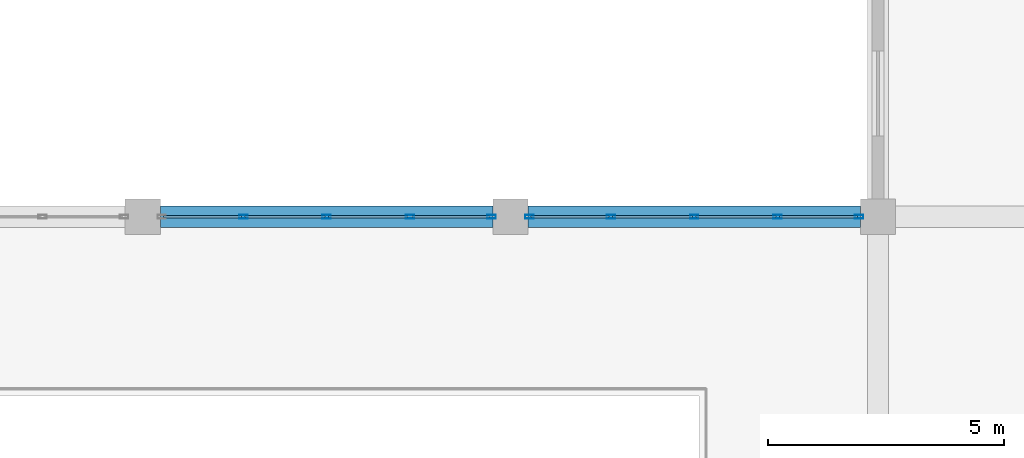
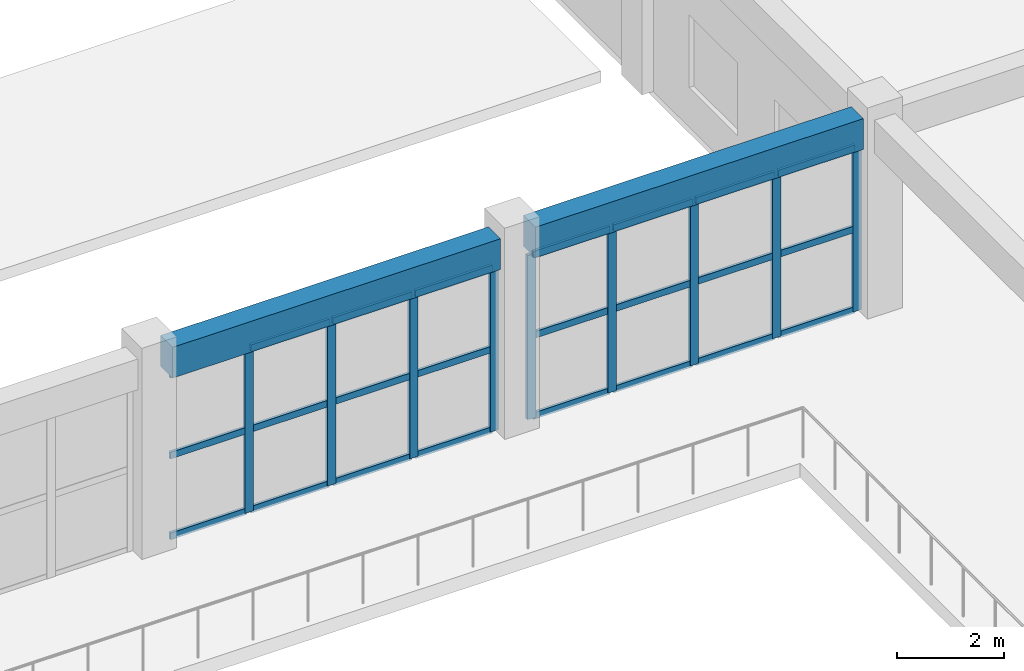
# One storey, part 40 of 167: 33 members, 2 beams, 2 elements without a shape of their own.
"""IFC4 building model written with IfcOpenShell, lengths in metres."""

from ifc_helpers import new_model, si_unit, direction, frame, origin, origin_2d, place, context, subcontext, project, spatial, rectangle, hollow_rectangle, extrude, material, layer, layer_set, material_profile, profile_set, type_object, element, aggregate, save


model = new_model("IFC4")

# Units and contexts
model_context = context("Model", 3, precision=1e-05, world=origin(), true_north=direction((0.0, 1.0)))
body_context = subcontext(model_context, "Body", "Model", "MODEL_VIEW")
ifc_project = project(units=[si_unit("LENGTHUNIT", "METRE"), si_unit("AREAUNIT", "SQUARE_METRE"), si_unit("VOLUMEUNIT", "CUBIC_METRE"), si_unit("PLANEANGLEUNIT", "RADIAN"), si_unit("MASSUNIT", "GRAM", prefix="KILO")], contexts=[model_context])

# Site, building, storey
site_placement = place(None, origin())
site = spatial("IfcSite", under=ifc_project, at=site_placement, CompositionType="ELEMENT")
building_placement = place(site_placement, origin())
building = spatial("IfcBuilding", under=site, at=building_placement, Name="Zizhar Promenade General Hospital", CompositionType="ELEMENT")
storey_placement = place(building_placement, frame((0.0, 0.0, 9.60009765625)))
storey = spatial("IfcBuildingStorey", under=building, at=storey_placement, Name="L02", CompositionType="ELEMENT", Elevation=9.60009765625)

# Beams
ifc_material_1 = material(Name="Concrete C35/45", Category="concrete")
ifc_material_profile_1 = material_profile(ifc_material_1, rectangle(XDim=0.449951171875, YDim=0.699951171875, at=origin_2d()))
ifc_profile_set_1 = profile_set([ifc_material_profile_1], Name="Concrete C35/45")
beam_type = type_object("IfcBeamType", Name="BM-RC-450x700", PredefinedType="BEAM", material=ifc_profile_set_1)
for number, where, z_axis, x_axis, name in (
    (1, (109.574951171875, 50.39990234375, 4.119873046875), (1.0, 0.0, 0.0), (0.0, 1.0, 0.0), "Grid Beam X L02 (14-6)"),
    (2, (117.375, 50.39990234375, 4.119873046875), (1.0, 0.0, 0.0), (0.0, 1.0, 0.0), "Grid Beam X L02 (15-6)"),
):
    element("IfcBeam", number, at=place(storey_placement, frame(where, z_axis=z_axis, x_axis=x_axis)), inside=storey, type_object=beam_type, Name=name, PredefinedType="BEAM", context=body_context, shape_type="SweptSolid", body=[
        extrude(rectangle(XDim=0.449951171875, YDim=0.699951171875, at=origin_2d()), origin(), (0.0, 0.0, 1.0), 7.050048828125),
    ])

# Curtain wall, members
ifc_material_2 = material(Name="Anodised aluminium 6063-T6 and low-E glass", Category="aluminium")
ifc_layer = layer(ifc_material_2, 0.159912109375)
ifc_layer_set = layer_set([ifc_layer], Name="Anodised aluminium 6063-T6 and low-E glass")
curtain_wall_type = type_object("IfcCurtainWallType", Name="CW-HALL-N", PredefinedType="NOTDEFINED", material=ifc_layer_set)
curtain_wall_1_placement = place(storey_placement, origin())
curtain_wall_1 = element("IfcCurtainWall", 3, at=curtain_wall_1_placement, inside=storey, type_object=curtain_wall_type, Name="Main Hall Courtyard Curtain Wall L02-14", PredefinedType="NOTDEFINED")
ifc_material_3 = material(Name="Anodised aluminium 6063-T6", Category="aluminium")
ifc_material_profile_2 = material_profile(ifc_material_3, hollow_rectangle(XDim=0.080078125, YDim=0.179931640625, WallThickness=0.0048828125, at=origin_2d()))
ifc_profile_set_2 = profile_set([ifc_material_profile_2], Name="Anodised aluminium 6063-T6")
member_type_1 = type_object("IfcMemberType", Name="CWM-ALU-180x80", PredefinedType="MULLION", material=ifc_profile_set_2)
member_1_placement = place(storey_placement, frame((111.330078125, 50.39990234375, 0.0), z_axis=(0.0, 0.0, 1.0), x_axis=(0.0, 1.0, 0.0)))
member_1 = element("IfcMember", 4, at=member_1_placement, type_object=member_type_1, Name="CW-02 mullion 2", PredefinedType="MULLION", context=body_context, shape_type="SweptSolid", body=[
    extrude(hollow_rectangle(XDim=0.080078125, YDim=0.179931640625, WallThickness=0.0048828125, at=origin_2d()), origin(), (0.0, 0.0, 1.0), 3.72998046875),
])
member_2_placement = place(storey_placement, frame((113.10009765625, 50.39990234375, 0.0), z_axis=(0.0, 0.0, 1.0), x_axis=(0.0, 1.0, 0.0)))
member_2 = element("IfcMember", 5, at=member_2_placement, type_object=member_type_1, Name="CW-02 mullion 3", PredefinedType="MULLION", context=body_context, shape_type="SweptSolid", body=[
    extrude(hollow_rectangle(XDim=0.080078125, YDim=0.179931640625, WallThickness=0.0048828125, at=origin_2d()), origin(), (0.0, 0.0, 1.0), 3.72998046875),
])
member_3_placement = place(storey_placement, frame((114.8701171875, 50.39990234375, 0.0), z_axis=(0.0, 0.0, 1.0), x_axis=(0.0, 1.0, 0.0)))
member_3 = element("IfcMember", 6, at=member_3_placement, type_object=member_type_1, Name="CW-02 mullion 4", PredefinedType="MULLION", context=body_context, shape_type="SweptSolid", body=[
    extrude(hollow_rectangle(XDim=0.080078125, YDim=0.179931640625, WallThickness=0.0048828125, at=origin_2d()), origin(), (0.0, 0.0, 1.0), 3.72998046875),
])
member_4_placement = place(storey_placement, frame((116.60009765625, 50.39990234375, 0.0), z_axis=(0.0, 0.0, 1.0), x_axis=(0.0, 1.0, 0.0)))
member_4 = element("IfcMember", 7, at=member_4_placement, type_object=member_type_1, Name="CW-02 mullion 5", PredefinedType="MULLION", context=body_context, shape_type="SweptSolid", body=[
    extrude(hollow_rectangle(XDim=0.080078125, YDim=0.179931640625, WallThickness=0.0048828125, at=origin_2d()), origin(), (0.0, 0.0, 1.0), 3.72998046875),
])

curtain_wall_2_placement = place(storey_placement, origin())
curtain_wall_2 = element("IfcCurtainWall", 8, at=curtain_wall_2_placement, inside=storey, type_object=curtain_wall_type, Name="Main Hall Courtyard Curtain Wall L02-15", PredefinedType="NOTDEFINED")
member_5_placement = place(storey_placement, frame((117.39990234375, 50.39990234375, 0.0), z_axis=(0.0, 0.0, 1.0), x_axis=(0.0, 1.0, 0.0)))
member_5 = element("IfcMember", 9, at=member_5_placement, type_object=member_type_1, Name="CW-02 mullion 1", PredefinedType="MULLION", context=body_context, shape_type="SweptSolid", body=[
    extrude(hollow_rectangle(XDim=0.080078125, YDim=0.179931640625, WallThickness=0.0048828125, at=origin_2d()), origin(), (0.0, 0.0, 1.0), 3.72998046875),
])
member_6_placement = place(storey_placement, frame((119.1298828125, 50.39990234375, 0.0), z_axis=(0.0, 0.0, 1.0), x_axis=(0.0, 1.0, 0.0)))
member_6 = element("IfcMember", 10, at=member_6_placement, type_object=member_type_1, Name="CW-02 mullion 2", PredefinedType="MULLION", context=body_context, shape_type="SweptSolid", body=[
    extrude(hollow_rectangle(XDim=0.080078125, YDim=0.179931640625, WallThickness=0.0048828125, at=origin_2d()), origin(), (0.0, 0.0, 1.0), 3.72998046875),
])
member_7_placement = place(storey_placement, frame((120.89990234375, 50.39990234375, 0.0), z_axis=(0.0, 0.0, 1.0), x_axis=(0.0, 1.0, 0.0)))
member_7 = element("IfcMember", 11, at=member_7_placement, type_object=member_type_1, Name="CW-02 mullion 3", PredefinedType="MULLION", context=body_context, shape_type="SweptSolid", body=[
    extrude(hollow_rectangle(XDim=0.080078125, YDim=0.179931640625, WallThickness=0.0048828125, at=origin_2d()), origin(), (0.0, 0.0, 1.0), 3.72998046875),
])
member_8_placement = place(storey_placement, frame((122.669921875, 50.39990234375, 0.0), z_axis=(0.0, 0.0, 1.0), x_axis=(0.0, 1.0, 0.0)))
member_8 = element("IfcMember", 12, at=member_8_placement, type_object=member_type_1, Name="CW-02 mullion 4", PredefinedType="MULLION", context=body_context, shape_type="SweptSolid", body=[
    extrude(hollow_rectangle(XDim=0.080078125, YDim=0.179931640625, WallThickness=0.0048828125, at=origin_2d()), origin(), (0.0, 0.0, 1.0), 3.72998046875),
])
member_9_placement = place(storey_placement, frame((124.39990234375, 50.39990234375, 0.0), z_axis=(0.0, 0.0, 1.0), x_axis=(0.0, 1.0, 0.0)))
member_9 = element("IfcMember", 13, at=member_9_placement, type_object=member_type_1, Name="CW-02 mullion 5", PredefinedType="MULLION", context=body_context, shape_type="SweptSolid", body=[
    extrude(hollow_rectangle(XDim=0.080078125, YDim=0.179931640625, WallThickness=0.0048828125, at=origin_2d()), origin(), (0.0, 0.0, 1.0), 3.72998046875),
])

# Member
ifc_material_4 = material(Name="Anodised aluminium 6063-T6", Category="aluminium")
ifc_material_profile_3 = material_profile(ifc_material_4, hollow_rectangle(XDim=0.06005859375, YDim=0.14990234375, WallThickness=0.00390625, at=origin_2d()))
ifc_profile_set_3 = profile_set([ifc_material_profile_3], Name="Anodised aluminium 6063-T6")
member_type_2 = type_object("IfcMemberType", Name="CWT-ALU-150x60", PredefinedType="USERDEFINED", material=ifc_profile_set_3)
member_10_placement = place(storey_placement, frame((109.639892578125, 50.39990234375, 0.02978515625), z_axis=(1.0, 0.0, 0.0), x_axis=(0.0, 1.0, 0.0)))
member_10 = element("IfcMember", 14, at=member_10_placement, type_object=member_type_2, Name="CW-02 transom 1.1", ObjectType="TRANSOM", PredefinedType="USERDEFINED", context=body_context, shape_type="SweptSolid", body=[
    extrude(hollow_rectangle(XDim=0.06005859375, YDim=0.14990234375, WallThickness=0.00390625, at=origin_2d()), origin(), (0.0, 0.0, 1.0), 1.650146484375),
])

member_11_placement = place(storey_placement, frame((109.639892578125, 50.39990234375, 1.864990234375), z_axis=(1.0, 0.0, 0.0), x_axis=(0.0, 1.0, 0.0)))
member_11 = element("IfcMember", 15, at=member_11_placement, type_object=member_type_2, Name="CW-02 transom 1.2", ObjectType="TRANSOM", PredefinedType="USERDEFINED", context=body_context, shape_type="SweptSolid", body=[
    extrude(hollow_rectangle(XDim=0.06005859375, YDim=0.14990234375, WallThickness=0.00390625, at=origin_2d()), origin(), (0.0, 0.0, 1.0), 1.650146484375),
])

member_12_placement = place(storey_placement, frame((109.639892578125, 50.39990234375, 3.699951171875), z_axis=(1.0, 0.0, 0.0), x_axis=(0.0, 1.0, 0.0)))
member_12 = element("IfcMember", 16, at=member_12_placement, type_object=member_type_2, Name="CW-02 transom 1.3", ObjectType="TRANSOM", PredefinedType="USERDEFINED", context=body_context, shape_type="SweptSolid", body=[
    extrude(hollow_rectangle(XDim=0.06005859375, YDim=0.14990234375, WallThickness=0.00390625, at=origin_2d()), origin(), (0.0, 0.0, 1.0), 1.650146484375),
])

member_13_placement = place(storey_placement, frame((111.3701171875, 50.39990234375, 0.02978515625), z_axis=(1.0, 0.0, 0.0), x_axis=(0.0, 1.0, 0.0)))
member_13 = element("IfcMember", 17, at=member_13_placement, type_object=member_type_2, Name="CW-02 transom 2.1", ObjectType="TRANSOM", PredefinedType="USERDEFINED", context=body_context, shape_type="SweptSolid", body=[
    extrude(hollow_rectangle(XDim=0.06005859375, YDim=0.14990234375, WallThickness=0.00390625, at=origin_2d()), origin(), (0.0, 0.0, 1.0), 1.68994140625),
])

member_14_placement = place(storey_placement, frame((111.3701171875, 50.39990234375, 1.864990234375), z_axis=(1.0, 0.0, 0.0), x_axis=(0.0, 1.0, 0.0)))
member_14 = element("IfcMember", 18, at=member_14_placement, type_object=member_type_2, Name="CW-02 transom 2.2", ObjectType="TRANSOM", PredefinedType="USERDEFINED", context=body_context, shape_type="SweptSolid", body=[
    extrude(hollow_rectangle(XDim=0.06005859375, YDim=0.14990234375, WallThickness=0.00390625, at=origin_2d()), origin(), (0.0, 0.0, 1.0), 1.68994140625),
])

member_15_placement = place(storey_placement, frame((111.3701171875, 50.39990234375, 3.699951171875), z_axis=(1.0, 0.0, 0.0), x_axis=(0.0, 1.0, 0.0)))
member_15 = element("IfcMember", 19, at=member_15_placement, type_object=member_type_2, Name="CW-02 transom 2.3", ObjectType="TRANSOM", PredefinedType="USERDEFINED", context=body_context, shape_type="SweptSolid", body=[
    extrude(hollow_rectangle(XDim=0.06005859375, YDim=0.14990234375, WallThickness=0.00390625, at=origin_2d()), origin(), (0.0, 0.0, 1.0), 1.68994140625),
])

member_16_placement = place(storey_placement, frame((113.139892578125, 50.39990234375, 0.02978515625), z_axis=(1.0, 0.0, 0.0), x_axis=(0.0, 1.0, 0.0)))
member_16 = element("IfcMember", 20, at=member_16_placement, type_object=member_type_2, Name="CW-02 transom 3.1", ObjectType="TRANSOM", PredefinedType="USERDEFINED", context=body_context, shape_type="SweptSolid", body=[
    extrude(hollow_rectangle(XDim=0.06005859375, YDim=0.14990234375, WallThickness=0.00390625, at=origin_2d()), origin(), (0.0, 0.0, 1.0), 1.690185546875),
])

member_17_placement = place(storey_placement, frame((113.139892578125, 50.39990234375, 1.864990234375), z_axis=(1.0, 0.0, 0.0), x_axis=(0.0, 1.0, 0.0)))
member_17 = element("IfcMember", 21, at=member_17_placement, type_object=member_type_2, Name="CW-02 transom 3.2", ObjectType="TRANSOM", PredefinedType="USERDEFINED", context=body_context, shape_type="SweptSolid", body=[
    extrude(hollow_rectangle(XDim=0.06005859375, YDim=0.14990234375, WallThickness=0.00390625, at=origin_2d()), origin(), (0.0, 0.0, 1.0), 1.690185546875),
])

member_18_placement = place(storey_placement, frame((113.139892578125, 50.39990234375, 3.699951171875), z_axis=(1.0, 0.0, 0.0), x_axis=(0.0, 1.0, 0.0)))
member_18 = element("IfcMember", 22, at=member_18_placement, type_object=member_type_2, Name="CW-02 transom 3.3", ObjectType="TRANSOM", PredefinedType="USERDEFINED", context=body_context, shape_type="SweptSolid", body=[
    extrude(hollow_rectangle(XDim=0.06005859375, YDim=0.14990234375, WallThickness=0.00390625, at=origin_2d()), origin(), (0.0, 0.0, 1.0), 1.690185546875),
])

member_19_placement = place(storey_placement, frame((114.909912109375, 50.39990234375, 0.02978515625), z_axis=(1.0, 0.0, 0.0), x_axis=(0.0, 1.0, 0.0)))
member_19 = element("IfcMember", 23, at=member_19_placement, type_object=member_type_2, Name="CW-02 transom 4.1", ObjectType="TRANSOM", PredefinedType="USERDEFINED", context=body_context, shape_type="SweptSolid", body=[
    extrude(hollow_rectangle(XDim=0.06005859375, YDim=0.14990234375, WallThickness=0.00390625, at=origin_2d()), origin(), (0.0, 0.0, 1.0), 1.650146484375),
])

member_20_placement = place(storey_placement, frame((114.909912109375, 50.39990234375, 1.864990234375), z_axis=(1.0, 0.0, 0.0), x_axis=(0.0, 1.0, 0.0)))
member_20 = element("IfcMember", 24, at=member_20_placement, type_object=member_type_2, Name="CW-02 transom 4.2", ObjectType="TRANSOM", PredefinedType="USERDEFINED", context=body_context, shape_type="SweptSolid", body=[
    extrude(hollow_rectangle(XDim=0.06005859375, YDim=0.14990234375, WallThickness=0.00390625, at=origin_2d()), origin(), (0.0, 0.0, 1.0), 1.650146484375),
])

member_21_placement = place(storey_placement, frame((114.909912109375, 50.39990234375, 3.699951171875), z_axis=(1.0, 0.0, 0.0), x_axis=(0.0, 1.0, 0.0)))
member_21 = element("IfcMember", 25, at=member_21_placement, type_object=member_type_2, Name="CW-02 transom 4.3", ObjectType="TRANSOM", PredefinedType="USERDEFINED", context=body_context, shape_type="SweptSolid", body=[
    extrude(hollow_rectangle(XDim=0.06005859375, YDim=0.14990234375, WallThickness=0.00390625, at=origin_2d()), origin(), (0.0, 0.0, 1.0), 1.650146484375),
])

aggregate(curtain_wall_1, [member_1, member_2, member_3, member_4, member_10, member_11, member_12, member_13, member_14, member_15, member_16, member_17, member_18, member_19, member_20, member_21])

member_22_placement = place(storey_placement, frame((117.43994140625, 50.39990234375, 0.02978515625), z_axis=(1.0, 0.0, 0.0), x_axis=(0.0, 1.0, 0.0)))
member_22 = element("IfcMember", 26, at=member_22_placement, type_object=member_type_2, Name="CW-02 transom 1.1", ObjectType="TRANSOM", PredefinedType="USERDEFINED", context=body_context, shape_type="SweptSolid", body=[
    extrude(hollow_rectangle(XDim=0.06005859375, YDim=0.14990234375, WallThickness=0.00390625, at=origin_2d()), origin(), (0.0, 0.0, 1.0), 1.650146484375),
])

member_23_placement = place(storey_placement, frame((117.43994140625, 50.39990234375, 1.864990234375), z_axis=(1.0, 0.0, 0.0), x_axis=(0.0, 1.0, 0.0)))
member_23 = element("IfcMember", 27, at=member_23_placement, type_object=member_type_2, Name="CW-02 transom 1.2", ObjectType="TRANSOM", PredefinedType="USERDEFINED", context=body_context, shape_type="SweptSolid", body=[
    extrude(hollow_rectangle(XDim=0.06005859375, YDim=0.14990234375, WallThickness=0.00390625, at=origin_2d()), origin(), (0.0, 0.0, 1.0), 1.650146484375),
])

member_24_placement = place(storey_placement, frame((117.43994140625, 50.39990234375, 3.699951171875), z_axis=(1.0, 0.0, 0.0), x_axis=(0.0, 1.0, 0.0)))
member_24 = element("IfcMember", 28, at=member_24_placement, type_object=member_type_2, Name="CW-02 transom 1.3", ObjectType="TRANSOM", PredefinedType="USERDEFINED", context=body_context, shape_type="SweptSolid", body=[
    extrude(hollow_rectangle(XDim=0.06005859375, YDim=0.14990234375, WallThickness=0.00390625, at=origin_2d()), origin(), (0.0, 0.0, 1.0), 1.650146484375),
])

member_25_placement = place(storey_placement, frame((119.169921875, 50.39990234375, 0.02978515625), z_axis=(1.0, 0.0, 0.0), x_axis=(0.0, 1.0, 0.0)))
member_25 = element("IfcMember", 29, at=member_25_placement, type_object=member_type_2, Name="CW-02 transom 2.1", ObjectType="TRANSOM", PredefinedType="USERDEFINED", context=body_context, shape_type="SweptSolid", body=[
    extrude(hollow_rectangle(XDim=0.06005859375, YDim=0.14990234375, WallThickness=0.00390625, at=origin_2d()), origin(), (0.0, 0.0, 1.0), 1.690185546875),
])

member_26_placement = place(storey_placement, frame((119.169921875, 50.39990234375, 1.864990234375), z_axis=(1.0, 0.0, 0.0), x_axis=(0.0, 1.0, 0.0)))
member_26 = element("IfcMember", 30, at=member_26_placement, type_object=member_type_2, Name="CW-02 transom 2.2", ObjectType="TRANSOM", PredefinedType="USERDEFINED", context=body_context, shape_type="SweptSolid", body=[
    extrude(hollow_rectangle(XDim=0.06005859375, YDim=0.14990234375, WallThickness=0.00390625, at=origin_2d()), origin(), (0.0, 0.0, 1.0), 1.690185546875),
])

member_27_placement = place(storey_placement, frame((119.169921875, 50.39990234375, 3.699951171875), z_axis=(1.0, 0.0, 0.0), x_axis=(0.0, 1.0, 0.0)))
member_27 = element("IfcMember", 31, at=member_27_placement, type_object=member_type_2, Name="CW-02 transom 2.3", ObjectType="TRANSOM", PredefinedType="USERDEFINED", context=body_context, shape_type="SweptSolid", body=[
    extrude(hollow_rectangle(XDim=0.06005859375, YDim=0.14990234375, WallThickness=0.00390625, at=origin_2d()), origin(), (0.0, 0.0, 1.0), 1.690185546875),
])

member_28_placement = place(storey_placement, frame((120.93994140625, 50.39990234375, 0.02978515625), z_axis=(1.0, 0.0, 0.0), x_axis=(0.0, 1.0, 0.0)))
member_28 = element("IfcMember", 32, at=member_28_placement, type_object=member_type_2, Name="CW-02 transom 3.1", ObjectType="TRANSOM", PredefinedType="USERDEFINED", context=body_context, shape_type="SweptSolid", body=[
    extrude(hollow_rectangle(XDim=0.06005859375, YDim=0.14990234375, WallThickness=0.00390625, at=origin_2d()), origin(), (0.0, 0.0, 1.0), 1.68994140625),
])

member_29_placement = place(storey_placement, frame((120.93994140625, 50.39990234375, 1.864990234375), z_axis=(1.0, 0.0, 0.0), x_axis=(0.0, 1.0, 0.0)))
member_29 = element("IfcMember", 33, at=member_29_placement, type_object=member_type_2, Name="CW-02 transom 3.2", ObjectType="TRANSOM", PredefinedType="USERDEFINED", context=body_context, shape_type="SweptSolid", body=[
    extrude(hollow_rectangle(XDim=0.06005859375, YDim=0.14990234375, WallThickness=0.00390625, at=origin_2d()), origin(), (0.0, 0.0, 1.0), 1.68994140625),
])

member_30_placement = place(storey_placement, frame((120.93994140625, 50.39990234375, 3.699951171875), z_axis=(1.0, 0.0, 0.0), x_axis=(0.0, 1.0, 0.0)))
member_30 = element("IfcMember", 34, at=member_30_placement, type_object=member_type_2, Name="CW-02 transom 3.3", ObjectType="TRANSOM", PredefinedType="USERDEFINED", context=body_context, shape_type="SweptSolid", body=[
    extrude(hollow_rectangle(XDim=0.06005859375, YDim=0.14990234375, WallThickness=0.00390625, at=origin_2d()), origin(), (0.0, 0.0, 1.0), 1.68994140625),
])

member_31_placement = place(storey_placement, frame((122.7099609375, 50.39990234375, 0.02978515625), z_axis=(1.0, 0.0, 0.0), x_axis=(0.0, 1.0, 0.0)))
member_31 = element("IfcMember", 35, at=member_31_placement, type_object=member_type_2, Name="CW-02 transom 4.1", ObjectType="TRANSOM", PredefinedType="USERDEFINED", context=body_context, shape_type="SweptSolid", body=[
    extrude(hollow_rectangle(XDim=0.06005859375, YDim=0.14990234375, WallThickness=0.00390625, at=origin_2d()), origin(), (0.0, 0.0, 1.0), 1.650146484375),
])

member_32_placement = place(storey_placement, frame((122.7099609375, 50.39990234375, 1.864990234375), z_axis=(1.0, 0.0, 0.0), x_axis=(0.0, 1.0, 0.0)))
member_32 = element("IfcMember", 36, at=member_32_placement, type_object=member_type_2, Name="CW-02 transom 4.2", ObjectType="TRANSOM", PredefinedType="USERDEFINED", context=body_context, shape_type="SweptSolid", body=[
    extrude(hollow_rectangle(XDim=0.06005859375, YDim=0.14990234375, WallThickness=0.00390625, at=origin_2d()), origin(), (0.0, 0.0, 1.0), 1.650146484375),
])

member_33_placement = place(storey_placement, frame((122.7099609375, 50.39990234375, 3.699951171875), z_axis=(1.0, 0.0, 0.0), x_axis=(0.0, 1.0, 0.0)))
member_33 = element("IfcMember", 37, at=member_33_placement, type_object=member_type_2, Name="CW-02 transom 4.3", ObjectType="TRANSOM", PredefinedType="USERDEFINED", context=body_context, shape_type="SweptSolid", body=[
    extrude(hollow_rectangle(XDim=0.06005859375, YDim=0.14990234375, WallThickness=0.00390625, at=origin_2d()), origin(), (0.0, 0.0, 1.0), 1.650146484375),
])

aggregate(curtain_wall_2, [member_5, member_6, member_7, member_8, member_9, member_22, member_23, member_24, member_25, member_26, member_27, member_28, member_29, member_30, member_31, member_32, member_33])

save(model, "model.ifc")
